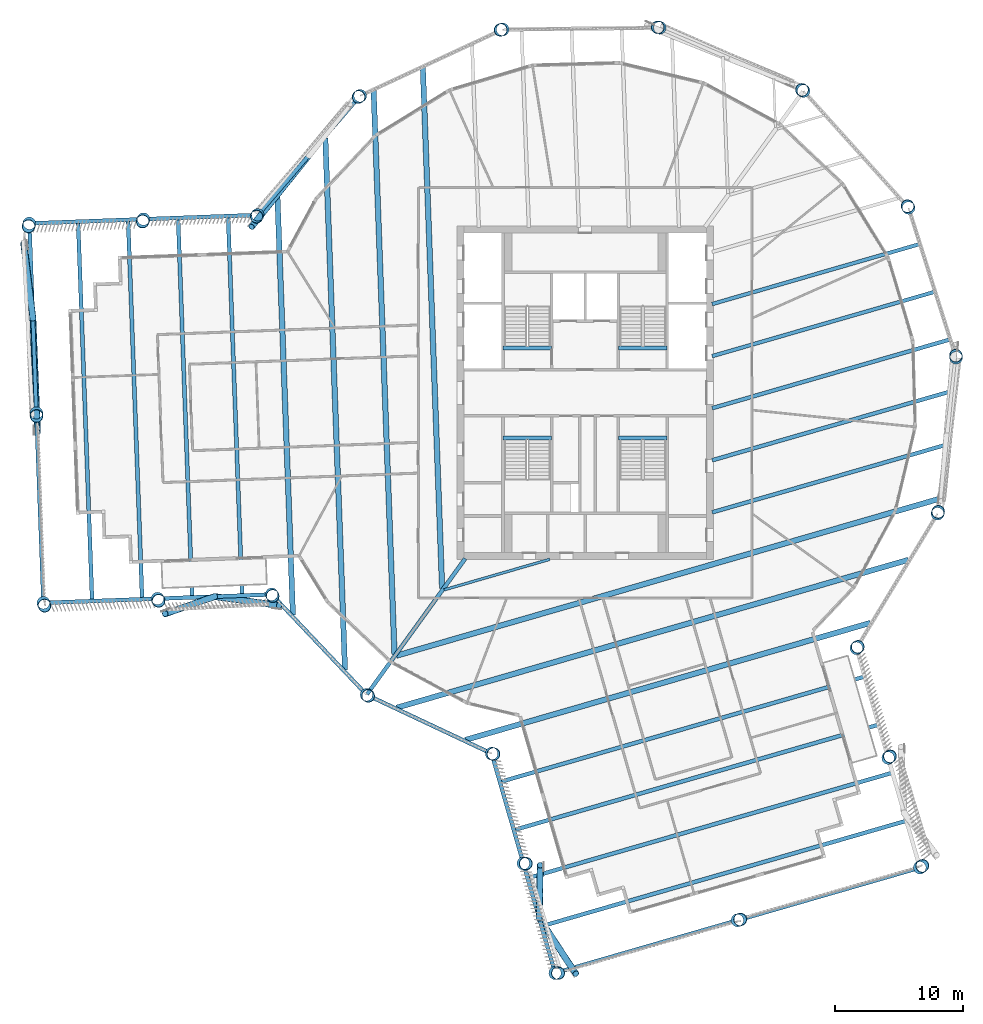
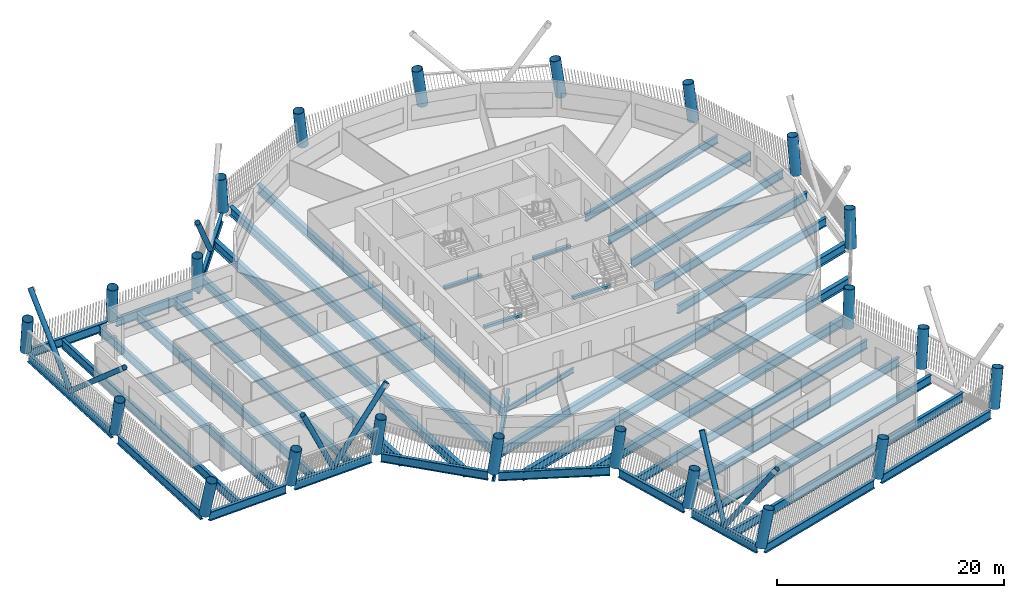
# One storey, part 1 of 20: 39 beams, 22 columns, 7 members.
"""IFC4 building model written with IfcOpenShell, lengths in metres."""

from ifc_helpers import new_model, si_unit, direction, frame, origin, origin_2d, place, context, subcontext, project, spatial, rectangle, hollow_circle, i_section, extrude, material, material_profile, profile_set, type_object, element, save


model = new_model("IFC4")

# Units and contexts
model_context = context("Model", 3, precision=1e-05, world=origin(), true_north=direction((0.0, 1.0)))
body_context = subcontext(model_context, "Body", "Model", "MODEL_VIEW")
ifc_project = project(units=[si_unit("LENGTHUNIT", "METRE"), si_unit("AREAUNIT", "SQUARE_METRE"), si_unit("VOLUMEUNIT", "CUBIC_METRE"), si_unit("PLANEANGLEUNIT", "RADIAN"), si_unit("MASSUNIT", "GRAM", prefix="KILO")], contexts=[model_context])

# Site, building, storey
site_placement = place(None, origin())
site = spatial("IfcSite", under=ifc_project, at=site_placement, CompositionType="ELEMENT")
building_placement = place(site_placement, origin())
building = spatial("IfcBuilding", under=site, at=building_placement, Name="Tarsis Ring Headquarters", CompositionType="ELEMENT")
storey_placement = place(building_placement, frame((0.0, 0.0, 294.199951171875)))
storey = spatial("IfcBuildingStorey", under=building, at=storey_placement, Name="L69", CompositionType="ELEMENT", Elevation=294.199951171875)

# Columns
ifc_material_1 = material(Name="Structural steel S355", Category="steel")
ifc_material_profile_1 = material_profile(ifc_material_1, hollow_circle(Radius=0.508056640625, WallThickness=0.0400390625, at=origin_2d()), Name="CHS 1016x40")
ifc_profile_set_1 = profile_set([ifc_material_profile_1], Name="Structural steel S355")
column_type = type_object("IfcColumnType", Name="XC Exo column CHS 1016x40", PredefinedType="COLUMN", material=ifc_profile_set_1)
for number, where, z_axis, x_axis, name in (
    (1, (-17.02490234375, -23.53662109375, 0.001220703125), (0.10512383495, -0.074618041238, 0.991655750373), (0.578819379223, 0.815455778222, 0.0), "Exo column XC6 F1"),
    (2, (-7.27783203125, -28.1220703125, 0.001220703125), (0.125067804822, -0.031189288634, 0.991657840422), (0.2419685142, 0.970284101764, 0.0), "Exo column XC6 AK"),
):
    element("IfcColumn", number, at=place(storey_placement, frame(where, z_axis=z_axis, x_axis=x_axis)), inside=storey, type_object=column_type, Name=name, PredefinedType="COLUMN", context=body_context, shape_type="SweptSolid", body=[
        extrude(hollow_circle(Radius=0.508056640625, WallThickness=0.0400390625, at=origin_2d()), origin(), (0.0, 0.0, 1.0), 3.929443359375),
    ])
column_1_placement = place(storey_placement, frame((-4.80615234375, -36.67431640625, 0.00146484375), z_axis=(0.162100639082, -0.019783449468, 0.98657589568), x_axis=(0.121145358091, 0.992634777858, 0.0)))
element("IfcColumn", 3, at=column_1_placement, inside=storey, type_object=column_type, Name="Exo column XC6 AI1", PredefinedType="COLUMN", context=body_context, shape_type="SweptSolid", body=[
    extrude(hollow_circle(Radius=0.508056640625, WallThickness=0.0400390625, at=origin_2d()), origin(), (0.0, 0.0, 1.0), 3.948974609375),
])
column_2_placement = place(storey_placement, frame((-2.33447265625, -45.226318359375, 0.00146484375), z_axis=(0.198459050362, -0.008537854534, 0.980071992442), x_axis=(0.042980980749, 0.999075890658, 0.0)))
element("IfcColumn", 4, at=column_2_placement, inside=storey, type_object=column_type, Name="Exo column XC6 AT1", PredefinedType="COLUMN", context=body_context, shape_type="SweptSolid", body=[
    extrude(hollow_circle(Radius=0.508056640625, WallThickness=0.0400390625, at=origin_2d()), origin(), (0.0, 0.0, 1.0), 3.974609375),
])
column_3_placement = place(storey_placement, frame((11.8837890625, -41.1171875, 0.00146484375), z_axis=(0.180229498417, 0.053798012847, 0.982152280308), x_axis=(-0.286026556639, 0.958221690893, 0.0)))
element("IfcColumn", 5, at=column_3_placement, inside=storey, type_object=column_type, Name="Exo column XC6 AT2", PredefinedType="COLUMN", context=body_context, shape_type="SweptSolid", body=[
    extrude(hollow_circle(Radius=0.508056640625, WallThickness=0.0400390625, at=origin_2d()), origin(), (0.0, 0.0, 1.0), 3.96630859375),
])
column_4_placement = place(storey_placement, frame((26.101806640625, -37.0078125, 0.00146484375), z_axis=(0.161298504755, 0.115906427446, 0.980075758521), x_axis=(-0.58354683528, 0.812079485663, 0.0)))
element("IfcColumn", 6, at=column_4_placement, inside=storey, type_object=column_type, Name="Exo column XC6 AT3", PredefinedType="COLUMN", context=body_context, shape_type="SweptSolid", body=[
    extrude(hollow_circle(Radius=0.508056640625, WallThickness=0.0400390625, at=origin_2d()), origin(), (0.0, 0.0, 1.0), 3.974609375),
])
column_5_placement = place(storey_placement, frame((23.6298828125, -28.45556640625, 0.00146484375), z_axis=(0.124758885871, 0.105408275723, 0.986572002342), x_axis=(-0.645382114358, 0.763859886672, 0.0)))
element("IfcColumn", 7, at=column_5_placement, inside=storey, type_object=column_type, Name="Exo column XC6 AO1", PredefinedType="COLUMN", context=body_context, shape_type="SweptSolid", body=[
    extrude(hollow_circle(Radius=0.508056640625, WallThickness=0.0400390625, at=origin_2d()), origin(), (0.0, 0.0, 1.0), 3.948974609375),
])
for number, where, z_axis, x_axis, name in (
    (8, (21.158203125, -19.9033203125, 0.001220703125), (0.087479488389, 0.094624475011, 0.991662012906), (-0.734285671443, 0.678840594479, 0.0), "Exo column XC6 AJ"),
    (9, (27.481201171875, -9.412841796875, 0.001220703125), (0.040695044961, 0.122333654241, 0.991654370411), (-0.9488758848, 0.315649418255, 0.0), "Exo column XC6 R1"),
    (10, (28.91796875, 2.75146484375, 0.001220703125), (-0.013357906885, 0.128235906093, 0.991653729238), (-0.994618408891, -0.103606084259, 0.0), "Exo column XC6 R2"),
    (11, (25.212890625, 14.426513671875, 0.001220703125), (-0.064987888269, 0.111336802847, 0.991655530268), (-0.863639029708, -0.504110728278, 0.0), "Exo column XC6 R3"),
    (12, (17.02490234375, 23.53662109375, 0.001220703125), (-0.10512383495, 0.074618041238, 0.991655750373), (-0.578819379223, -0.815455778222, 0.0), "Exo column XC6 R4"),
    (13, (5.809814453125, 28.461669921875, 0.001220703125), (-0.126497105715, 0.02466569301, 0.991660267347), (-0.191385762986, -0.981514895315, 0.0), "Exo column XC6 R5"),
    (14, (-6.438232421875, 28.325927734375, 0.001220703125), (-0.125440653682, -0.029636053396, 0.991658382077), (0.229925848343, -0.973208150533, 0.0), "Exo column XC6 R6"),
    (15, (-17.54150390625, 23.154052734375, 0.001220703125), (-0.102079572401, -0.078718696428, 0.991656759031), (0.610665314331, -0.791888801457, 0.0), "Exo column XC6 R7"),
    (16, (-25.52587890625, 13.864990234375, 0.001220703125), (-0.060576921012, -0.113760351153, 0.991659729517), (0.882659673323, -0.470012660563, 0.0), "Exo column XC6 BJ"),
):
    element("IfcColumn", number, at=place(storey_placement, frame(where, z_axis=z_axis, x_axis=x_axis)), inside=storey, type_object=column_type, Name=name, PredefinedType="COLUMN", context=body_context, shape_type="SweptSolid", body=[
        extrude(hollow_circle(Radius=0.508056640625, WallThickness=0.0400390625, at=origin_2d()), origin(), (0.0, 0.0, 1.0), 3.929443359375),
    ])
column_6_placement = place(storey_placement, frame((-34.422119140625, 13.53564453125, 0.00146484375), z_axis=(-0.058423345664, -0.152457111542, 0.986581746143), x_axis=(0.933784079274, -0.357836964685, 0.0)))
element("IfcColumn", 17, at=column_6_placement, inside=storey, type_object=column_type, Name="Exo column XC6 BO1", PredefinedType="COLUMN", context=body_context, shape_type="SweptSolid", body=[
    extrude(hollow_circle(Radius=0.508056640625, WallThickness=0.0400390625, at=origin_2d()), origin(), (0.0, 0.0, 1.0), 3.948974609375),
])
column_7_placement = place(storey_placement, frame((-43.318359375, 13.206298828125, 0.00146484375), z_axis=(-0.05626421067, -0.190475237214, 0.98007832473), x_axis=(0.959034895919, -0.283287960226, 0.0)))
element("IfcColumn", 18, at=column_7_placement, inside=storey, type_object=column_type, Name="Exo column XC6 BT3", PredefinedType="COLUMN", context=body_context, shape_type="SweptSolid", body=[
    extrude(hollow_circle(Radius=0.508056640625, WallThickness=0.0400390625, at=origin_2d()), origin(), (0.0, 0.0, 1.0), 3.974609375),
])
column_8_placement = place(storey_placement, frame((-42.770751953125, -1.58349609375, 0.00146484375), z_axis=(0.008617475989, -0.187922529959, 0.98214604914), x_axis=(0.998950244416, 0.045808396403, 0.0)))
element("IfcColumn", 19, at=column_8_placement, inside=storey, type_object=column_type, Name="Exo column XC6 BT2", PredefinedType="COLUMN", context=body_context, shape_type="SweptSolid", body=[
    extrude(hollow_circle(Radius=0.508056640625, WallThickness=0.0400390625, at=origin_2d()), origin(), (0.0, 0.0, 1.0), 3.96630859375),
])
column_9_placement = place(storey_placement, frame((-42.22314453125, -16.37353515625, 0.00146484375), z_axis=(0.073462992019, -0.184517414736, 0.980079850044), x_axis=(0.929072717909, 0.36989712737, 0.0)))
element("IfcColumn", 20, at=column_9_placement, inside=storey, type_object=column_type, Name="Exo column XC6 BT1", PredefinedType="COLUMN", context=body_context, shape_type="SweptSolid", body=[
    extrude(hollow_circle(Radius=0.508056640625, WallThickness=0.0400390625, at=origin_2d()), origin(), (0.0, 0.0, 1.0), 3.974609375),
])
column_10_placement = place(storey_placement, frame((-33.326904296875, -16.0439453125, 0.00146484375), z_axis=(0.072086058067, -0.146521404475, 0.986577456799), x_axis=(0.897286050776, 0.441449592913, 0.0)))
element("IfcColumn", 21, at=column_10_placement, inside=storey, type_object=column_type, Name="Exo column XC6 BI1", PredefinedType="COLUMN", context=body_context, shape_type="SweptSolid", body=[
    extrude(hollow_circle(Radius=0.508056640625, WallThickness=0.0400390625, at=origin_2d()), origin(), (0.0, 0.0, 1.0), 3.948974609375),
])
column_11_placement = place(storey_placement, frame((-24.430908203125, -15.714599609375, 0.001220703125), z_axis=(0.070703855348, -0.107795420939, 0.991655742717), x_axis=(0.836179147735, 0.548456409292, 0.0)))
element("IfcColumn", 22, at=column_11_placement, inside=storey, type_object=column_type, Name="Exo column XC6 BK", PredefinedType="COLUMN", context=body_context, shape_type="SweptSolid", body=[
    extrude(hollow_circle(Radius=0.508056640625, WallThickness=0.0400390625, at=origin_2d()), origin(), (0.0, 0.0, 1.0), 3.929443359375),
])

# Beams
ifc_material_profile_2 = material_profile(ifc_material_1, i_section(OverallWidth=0.209228515625, OverallDepth=0.533447265625, WebThickness=0.01025390625, FlangeThickness=0.015625, at=origin_2d()), Name="W21x62")
ifc_profile_set_2 = profile_set([ifc_material_profile_2], Name="Structural steel S355")
beam_type_1 = type_object("IfcBeamType", Name="FB Floor beam W21x62", PredefinedType="JOIST", material=ifc_profile_set_2)
beam_1_placement = place(storey_placement, frame((-10.9921875, -15.355712890625, -0.4267578125), z_axis=(0.960681316601, 0.277653395322, 0.0), x_axis=(-0.277653395322, 0.960681316601, 0.0)))
element("IfcBeam", 23, at=beam_1_placement, inside=storey, type_object=beam_type_1, Name="Floor beam FB3", PredefinedType="JOIST", context=body_context, shape_type="SweptSolid", body=[
    extrude(i_section(OverallWidth=0.209228515625, OverallDepth=0.533447265625, WebThickness=0.01025390625, FlangeThickness=0.015625, at=origin_2d()), origin(), (0.0, 0.0, 1.0), 8.584716796875),
])
ifc_material_profile_3 = material_profile(ifc_material_1, i_section(OverallWidth=0.2919921875, OverallDepth=0.835693359375, WebThickness=0.013916015625, FlangeThickness=0.018798828125, at=origin_2d()), Name="W33x118")
ifc_profile_set_3 = profile_set([ifc_material_profile_3], Name="Structural steel S355")
beam_type_2 = type_object("IfcBeamType", Name="FB Floor beam W33x118", PredefinedType="JOIST", material=ifc_profile_set_3)
beam_2_placement = place(storey_placement, frame((9.904052734375, 6.921875, -0.577880859375), z_axis=(0.960678294888, 0.277663850241, 0.0), x_axis=(-0.277663850241, 0.960678294888, 0.0)))
element("IfcBeam", 24, at=beam_2_placement, inside=storey, type_object=beam_type_2, Name="Floor beam FB7", PredefinedType="JOIST", context=body_context, shape_type="SweptSolid", body=[
    extrude(i_section(OverallWidth=0.2919921875, OverallDepth=0.835693359375, WebThickness=0.013916015625, FlangeThickness=0.018798828125, at=origin_2d()), origin(), (0.0, 0.0, 1.0), 16.8125),
])
beam_3_placement = place(storey_placement, frame((9.904052734375, 2.8623046875, -0.577880859375), z_axis=(0.96068146054, 0.277652897292, 0.0), x_axis=(-0.277652897292, 0.96068146054, 0.0)))
element("IfcBeam", 25, at=beam_3_placement, inside=storey, type_object=beam_type_2, Name="Floor beam FB7", PredefinedType="JOIST", context=body_context, shape_type="SweptSolid", body=[
    extrude(i_section(OverallWidth=0.2919921875, OverallDepth=0.835693359375, WebThickness=0.013916015625, FlangeThickness=0.018798828125, at=origin_2d()), origin(), (0.0, 0.0, 1.0), 18.04052734375),
])
ifc_material_profile_4 = material_profile(ifc_material_1, i_section(OverallWidth=0.3046875, OverallDepth=0.904296875, WebThickness=0.01513671875, FlangeThickness=0.02001953125, at=origin_2d()), Name="W36x135")
ifc_profile_set_4 = profile_set([ifc_material_profile_4], Name="Structural steel S355")
beam_type_3 = type_object("IfcBeamType", Name="FB Floor beam W36x135", PredefinedType="JOIST", material=ifc_profile_set_4)
beam_4_placement = place(storey_placement, frame((9.904052734375, -1.197265625, -0.612060546875), z_axis=(0.960681819733, 0.27765165448, 0.0), x_axis=(-0.27765165448, 0.960681819733, 0.0)))
element("IfcBeam", 26, at=beam_4_placement, inside=storey, type_object=beam_type_3, Name="Floor beam FB8", PredefinedType="JOIST", context=body_context, shape_type="SweptSolid", body=[
    extrude(i_section(OverallWidth=0.3046875, OverallDepth=0.904296875, WebThickness=0.01513671875, FlangeThickness=0.02001953125, at=origin_2d()), origin(), (0.0, 0.0, 1.0), 19.26904296875),
])
beam_5_placement = place(storey_placement, frame((9.904052734375, -5.2568359375, -0.612060546875), z_axis=(0.960683387243, 0.277646230797, 0.0), x_axis=(-0.277646230797, 0.960683387243, 0.0)))
element("IfcBeam", 27, at=beam_5_placement, inside=storey, type_object=beam_type_3, Name="Floor beam FB8", PredefinedType="JOIST", context=body_context, shape_type="SweptSolid", body=[
    extrude(i_section(OverallWidth=0.3046875, OverallDepth=0.904296875, WebThickness=0.01513671875, FlangeThickness=0.02001953125, at=origin_2d()), origin(), (0.0, 0.0, 1.0), 19.404052734375),
])
beam_6_placement = place(storey_placement, frame((9.904052734375, -9.31640625, -0.612060546875), z_axis=(0.960683923423, 0.277644375554, 0.0), x_axis=(-0.277644375554, 0.960683923423, 0.0)))
element("IfcBeam", 28, at=beam_6_placement, inside=storey, type_object=beam_type_3, Name="Floor beam FB8", PredefinedType="JOIST", context=body_context, shape_type="SweptSolid", body=[
    extrude(i_section(OverallWidth=0.3046875, OverallDepth=0.904296875, WebThickness=0.01513671875, FlangeThickness=0.02001953125, at=origin_2d()), origin(), (0.0, 0.0, 1.0), 18.88720703125),
])
ifc_material_profile_5 = material_profile(ifc_material_1, i_section(OverallWidth=0.309814453125, OverallDepth=0.949951171875, WebThickness=0.0244140625, FlangeThickness=0.0439453125, at=origin_2d()), Name="W36x256")
ifc_profile_set_5 = profile_set([ifc_material_profile_5], Name="Structural steel S355")
beam_type_4 = type_object("IfcBeamType", Name="FB Floor beam W36x256", PredefinedType="JOIST", material=ifc_profile_set_5)
for number, where, z_axis, x_axis, name in (
    (29, (-6.58544921875, -30.320556640625, -0.635009765625), (0.960681604626, 0.277652398752, 0.0), (-0.277652398752, 0.960681604626, 0.0), "Floor beam FB11"),
    (30, (-5.502685546875, -34.067138671875, -0.635009765625), (0.960683812835, 0.2776447582, 0.0), (-0.2776447582, 0.960683812835, 0.0), "Floor beam FB11"),
    (31, (-4.419677734375, -37.81396484375, -0.635009765625), (0.960681604626, 0.277652398752, 0.0), (-0.277652398752, 0.960681604626, 0.0), "Floor beam FB11"),
    (32, (-3.3369140625, -41.560546875, -0.635009765625), (0.960681604626, 0.277652398752, 0.0), (-0.277652398752, 0.960681604626, 0.0), "Floor beam FB11"),
):
    element("IfcBeam", number, at=place(storey_placement, frame(where, z_axis=z_axis, x_axis=x_axis)), inside=storey, type_object=beam_type_4, Name=name, PredefinedType="JOIST", context=body_context, shape_type="SweptSolid", body=[
        extrude(i_section(OverallWidth=0.309814453125, OverallDepth=0.949951171875, WebThickness=0.0244140625, FlangeThickness=0.0439453125, at=origin_2d()), origin(), (0.0, 0.0, 1.0), 29.489990234375),
    ])
for number, where, z_axis, x_axis, name in (
    (33, (-27.82666015625, 13.72509765625, -0.635009765625), (0.036989307964, -0.999315661388, 0.0), (0.999315661388, 0.036989307964, 0.0), "Floor beam FB11"),
    (34, (-31.72412109375, 13.580810546875, -0.635009765625), (0.036989307964, -0.999315661388, 0.0), (0.999315661388, 0.036989307964, 0.0), "Floor beam FB11"),
    (35, (-35.621337890625, 13.4365234375, -0.635009765625), (0.036989307964, -0.999315661388, 0.0), (0.999315661388, 0.036989307964, 0.0), "Floor beam FB11"),
    (36, (-39.518798828125, 13.292236328125, -0.635009765625), (0.036997575351, -0.99931535534, 0.0), (0.99931535534, 0.036997575351, 0.0), "Floor beam FB11"),
):
    element("IfcBeam", number, at=place(storey_placement, frame(where, z_axis=z_axis, x_axis=x_axis)), inside=storey, type_object=beam_type_4, Name=name, PredefinedType="JOIST", context=body_context, shape_type="SweptSolid", body=[
        extrude(i_section(OverallWidth=0.309814453125, OverallDepth=0.949951171875, WebThickness=0.0244140625, FlangeThickness=0.0439453125, at=origin_2d()), origin(), (0.0, 0.0, 1.0), 29.490234375),
    ])
beam_type_5 = type_object("IfcBeamType", Name="FB Floor beam W36x256 spine", PredefinedType="BEAM", material=ifc_profile_set_5)
beam_7_placement = place(storey_placement, frame((-9.344970703125, -12.9189453125, -0.635009765625), z_axis=(-0.586083454788, -0.810250692085, 0.0), x_axis=(0.810250692085, -0.586083454788, 0.0)))
element("IfcBeam", 37, at=beam_7_placement, inside=storey, type_object=beam_type_5, Name="Floor beam SB11", PredefinedType="BEAM", context=body_context, shape_type="SweptSolid", body=[
    extrude(i_section(OverallWidth=0.309814453125, OverallDepth=0.949951171875, WebThickness=0.0244140625, FlangeThickness=0.0439453125, at=origin_2d()), origin(), (0.0, 0.0, 1.0), 13.04638671875),
])
ifc_material_profile_6 = material_profile(ifc_material_1, i_section(OverallWidth=0.42431640625, OverallDepth=0.947509765625, WebThickness=0.02392578125, FlangeThickness=0.042724609375, at=origin_2d()), Name="W36x302")
ifc_profile_set_6 = profile_set([ifc_material_profile_6], Name="Structural steel S355")
beam_type_6 = type_object("IfcBeamType", Name="FB Floor beam W36x302", PredefinedType="JOIST", material=ifc_profile_set_6)
beam_8_placement = place(storey_placement, frame((-14.705078125, -20.48828125, -0.633544921875), z_axis=(0.960682539274, 0.277649164835, 0.0), x_axis=(-0.277649164835, 0.960682539274, 0.0)))
element("IfcBeam", 38, at=beam_8_placement, inside=storey, type_object=beam_type_6, Name="Floor beam FB12", PredefinedType="JOIST", context=body_context, shape_type="SweptSolid", body=[
    extrude(i_section(OverallWidth=0.42431640625, OverallDepth=0.947509765625, WebThickness=0.02392578125, FlangeThickness=0.042724609375, at=origin_2d()), origin(), (0.0, 0.0, 1.0), 43.98681640625),
])
beam_9_placement = place(storey_placement, frame((-14.680908203125, -24.541015625, -0.633544921875), z_axis=(0.960682369641, 0.277649751775, 0.0), x_axis=(-0.277649751775, 0.960682369641, 0.0)))
element("IfcBeam", 39, at=beam_9_placement, inside=storey, type_object=beam_type_6, Name="Floor beam FB12", PredefinedType="JOIST", context=body_context, shape_type="SweptSolid", body=[
    extrude(i_section(OverallWidth=0.42431640625, OverallDepth=0.947509765625, WebThickness=0.02392578125, FlangeThickness=0.042724609375, at=origin_2d()), origin(), (0.0, 0.0, 1.0), 41.523681640625),
])
beam_10_placement = place(storey_placement, frame((-9.33544921875, -27.0556640625, -0.633544921875), z_axis=(0.960683551276, 0.277645663223, 0.0), x_axis=(-0.277645663223, 0.960683551276, 0.0)))
element("IfcBeam", 40, at=beam_10_placement, inside=storey, type_object=beam_type_6, Name="Floor beam FB12", PredefinedType="JOIST", context=body_context, shape_type="SweptSolid", body=[
    extrude(i_section(OverallWidth=0.42431640625, OverallDepth=0.947509765625, WebThickness=0.02392578125, FlangeThickness=0.042724609375, at=origin_2d()), origin(), (0.0, 0.0, 1.0), 32.875244140625),
])
beam_11_placement = place(storey_placement, frame((-12.64697265625, 25.36474609375, -0.633544921875), z_axis=(0.036994551304, -0.999315467294, 0.0), x_axis=(0.999315467294, 0.036994551304, 0.0)))
element("IfcBeam", 41, at=beam_11_placement, inside=storey, type_object=beam_type_6, Name="Floor beam FB12", PredefinedType="JOIST", context=body_context, shape_type="SweptSolid", body=[
    extrude(i_section(OverallWidth=0.42431640625, OverallDepth=0.947509765625, WebThickness=0.02392578125, FlangeThickness=0.042724609375, at=origin_2d()), origin(), (0.0, 0.0, 1.0), 40.638916015625),
])
beam_12_placement = place(storey_placement, frame((-16.4833984375, 23.57763671875, -0.633544921875), z_axis=(0.036992979446, -0.999315525483, 0.0), x_axis=(0.999315525483, 0.036992979446, 0.0)))
element("IfcBeam", 42, at=beam_12_placement, inside=storey, type_object=beam_type_6, Name="Floor beam FB12", PredefinedType="JOIST", context=body_context, shape_type="SweptSolid", body=[
    extrude(i_section(OverallWidth=0.42431640625, OverallDepth=0.947509765625, WebThickness=0.02392578125, FlangeThickness=0.042724609375, at=origin_2d()), origin(), (0.0, 0.0, 1.0), 43.986572265625),
])
beam_13_placement = place(storey_placement, frame((-20.2490234375, 19.870849609375, -0.633544921875), z_axis=(0.036994046056, -0.999315485998, 0.0), x_axis=(0.999315485998, 0.036994046056, 0.0)))
element("IfcBeam", 43, at=beam_13_placement, inside=storey, type_object=beam_type_6, Name="Floor beam FB12", PredefinedType="JOIST", context=body_context, shape_type="SweptSolid", body=[
    extrude(i_section(OverallWidth=0.42431640625, OverallDepth=0.947509765625, WebThickness=0.02392578125, FlangeThickness=0.042724609375, at=origin_2d()), origin(), (0.0, 0.0, 1.0), 41.523681640625),
])
beam_14_placement = place(storey_placement, frame((-23.990478515625, 15.51806640625, -0.633544921875), z_axis=(0.03699023623, -0.999315627029, 0.0), x_axis=(0.999315627029, 0.03699023623, 0.0)))
element("IfcBeam", 44, at=beam_14_placement, inside=storey, type_object=beam_type_6, Name="Floor beam FB12", PredefinedType="JOIST", context=body_context, shape_type="SweptSolid", body=[
    extrude(i_section(OverallWidth=0.42431640625, OverallDepth=0.947509765625, WebThickness=0.02392578125, FlangeThickness=0.042724609375, at=origin_2d()), origin(), (0.0, 0.0, 1.0), 32.875244140625),
])
ifc_material_2 = material(Name="Concrete C40/50", Category="concrete")
ifc_material_profile_7 = material_profile(ifc_material_2, rectangle(XDim=0.300048828125, YDim=0.300048828125, at=origin_2d()), Name="Stair head beam 300x300 C40/50")
ifc_profile_set_7 = profile_set([ifc_material_profile_7], Name="Concrete C40/50")
beam_type_7 = type_object("IfcBeamType", Name="Stair head beam 300x300 C40/50", PredefinedType="BEAM", material=ifc_profile_set_7)
for number, where, z_axis, x_axis, name in (
    (45, (-6.39990234375, 3.510009765625, -0.31005859375), (1.0, 0.0, 0.0), (0.0, 1.0, 0.0), "Stair head beam L69 Firefighting stair"),
    (46, (2.60009765625, 3.510009765625, -0.31005859375), (1.0, 0.0, 0.0), (0.0, 1.0, 0.0), "Stair head beam L69 Exit stair B"),
    (47, (-6.39990234375, -3.510009765625, -0.31005859375), (1.0, 0.0, 0.0), (0.0, 1.0, 0.0), "Stair head beam L69 Exit stair C"),
    (48, (2.60009765625, -3.510009765625, -0.31005859375), (1.0, 0.0, 0.0), (0.0, 1.0, 0.0), "Stair head beam L69 Exit stair D"),
):
    element("IfcBeam", number, at=place(storey_placement, frame(where, z_axis=z_axis, x_axis=x_axis)), inside=storey, type_object=beam_type_7, Name=name, PredefinedType="BEAM", context=body_context, shape_type="SweptSolid", body=[
        extrude(rectangle(XDim=0.300048828125, YDim=0.300048828125, at=origin_2d()), origin(), (0.0, 0.0, 1.0), 3.7998046875),
    ])

# Members
ifc_material_profile_8 = material_profile(ifc_material_1, hollow_circle(Radius=0.25390625, WallThickness=0.02001953125, at=origin_2d()), Name="CHS 508x20")
ifc_profile_set_8 = profile_set([ifc_material_profile_8], Name="Structural steel S355")
member_type = type_object("IfcMemberType", Name="XD X brace CHS 508x20", PredefinedType="BRACE", material=ifc_profile_set_8)
member_1_placement = place(storey_placement, frame((-3.570556640625, -40.9501953125, 0.0), z_axis=(0.304049840303, -0.462422710049, 0.832897912017), x_axis=(0.835562764412, 0.549395000639, 0.0)))
element("IfcMember", 49, at=member_1_placement, inside=storey, type_object=member_type, Name="X brace XD2", PredefinedType="BRACE", context=body_context, shape_type="SweptSolid", body=[
    extrude(hollow_circle(Radius=0.25390625, WallThickness=0.02001953125, at=origin_2d()), origin(), (0.0, 0.0, 1.0), 9.364990234375),
])
member_2_placement = place(storey_placement, frame((-3.570556640625, -40.9501953125, 0.0), z_axis=(0.008243685051, 0.46775996822, 0.883817092948), x_axis=(-0.999844737873, 0.017621014364, 0.0)))
element("IfcMember", 50, at=member_2_placement, inside=storey, type_object=member_type, Name="X brace XD2", PredefinedType="BRACE", context=body_context, shape_type="SweptSolid", body=[
    extrude(hollow_circle(Radius=0.25390625, WallThickness=0.02001953125, at=origin_2d()), origin(), (0.0, 0.0, 1.0), 8.825439453125),
])
member_3_placement = place(storey_placement, frame((-21.53369140625, 18.509765625, 0.0), z_axis=(-0.42279283659, -0.526141170218, 0.737849365609), x_axis=(0.779508338118, -0.626391850844, 0.0)))
element("IfcMember", 51, at=member_3_placement, inside=storey, type_object=member_type, Name="X brace XD2", PredefinedType="BRACE", context=body_context, shape_type="SweptSolid", body=[
    extrude(hollow_circle(Radius=0.25390625, WallThickness=0.02001953125, at=origin_2d()), origin(), (0.0, 0.0, 1.0), 10.5712890625),
])
member_4_placement = place(storey_placement, frame((-43.04443359375, 5.811767578125, 0.0), z_axis=(0.030136229081, -0.752313983925, 0.658115094256), x_axis=(0.999198640722, 0.040025946317, 0.0)))
element("IfcMember", 52, at=member_4_placement, inside=storey, type_object=member_type, Name="X brace XD2", PredefinedType="BRACE", context=body_context, shape_type="SweptSolid", body=[
    extrude(hollow_circle(Radius=0.25390625, WallThickness=0.02001953125, at=origin_2d()), origin(), (0.0, 0.0, 1.0), 11.85205078125),
])
member_5_placement = place(storey_placement, frame((-43.04443359375, 5.811767578125, 0.0), z_axis=(-0.073294530662, 0.598022416335, 0.798120981641), x_axis=(-0.992572907679, -0.121651234852, 0.0)))
element("IfcMember", 53, at=member_5_placement, inside=storey, type_object=member_type, Name="X brace XD2", PredefinedType="BRACE", context=body_context, shape_type="SweptSolid", body=[
    extrude(hollow_circle(Radius=0.25390625, WallThickness=0.02001953125, at=origin_2d()), origin(), (0.0, 0.0, 1.0), 9.77294921875),
])
member_6_placement = place(storey_placement, frame((-28.87890625, -15.879150390625, 0.0), z_axis=(0.539902657736, -0.074710939369, 0.83840526937), x_axis=(0.137072385651, 0.990561033502, 0.0)))
element("IfcMember", 54, at=member_6_placement, inside=storey, type_object=member_type, Name="X brace XD2", PredefinedType="BRACE", context=body_context, shape_type="SweptSolid", body=[
    extrude(hollow_circle(Radius=0.25390625, WallThickness=0.02001953125, at=origin_2d()), origin(), (0.0, 0.0, 1.0), 9.303466796875),
])
member_7_placement = place(storey_placement, frame((-28.87890625, -15.879150390625, 0.0), z_axis=(-0.437987603611, -0.152300108841, 0.885986193984), x_axis=(0.328437121566, -0.944525837221, 0.0)))
element("IfcMember", 55, at=member_7_placement, inside=storey, type_object=member_type, Name="X brace XD2", PredefinedType="BRACE", context=body_context, shape_type="SweptSolid", body=[
    extrude(hollow_circle(Radius=0.25390625, WallThickness=0.02001953125, at=origin_2d()), origin(), (0.0, 0.0, 1.0), 8.8037109375),
])

# Beams
ifc_material_profile_9 = material_profile(ifc_material_1, i_section(OverallWidth=0.309814453125, OverallDepth=0.93212890625, WebThickness=0.02099609375, FlangeThickness=0.034423828125, at=origin_2d()), Name="W36x210")
ifc_profile_set_9 = profile_set([ifc_material_profile_9], Name="Structural steel S355")
beam_type_8 = type_object("IfcBeamType", Name="XG Ring girder W36x210", PredefinedType="BEAM", material=ifc_profile_set_9)
beam_15_placement = place(storey_placement, frame((-16.611328125, -23.731201171875, -0.466064453125), z_axis=(0.904870897459, -0.425686103756, 0.0), x_axis=(0.425686103756, 0.904870897459, 0.0)))
element("IfcBeam", 56, at=beam_15_placement, inside=storey, type_object=beam_type_8, Name="Ring girder XG3", PredefinedType="BEAM", context=body_context, shape_type="SweptSolid", body=[
    extrude(i_section(OverallWidth=0.309814453125, OverallDepth=0.93212890625, WebThickness=0.02099609375, FlangeThickness=0.034423828125, at=origin_2d()), origin(), (0.0, 0.0, 1.0), 9.857177734375),
])
for number, where, z_axis, x_axis, name in (
    (57, (-7.151123046875, -28.561279296875, -0.466064453125), (0.277650612047, -0.960682121011, 0.0), (0.960682121011, 0.277650612047, 0.0), "Ring girder XG3"),
    (58, (-4.679443359375, -37.113525390625, -0.466064453125), (0.277650612047, -0.960682121011, 0.0), (0.960682121011, 0.277650612047, 0.0), "Ring girder XG3"),
):
    element("IfcBeam", number, at=place(storey_placement, frame(where, z_axis=z_axis, x_axis=x_axis)), inside=storey, type_object=beam_type_8, Name=name, PredefinedType="BEAM", context=body_context, shape_type="SweptSolid", body=[
        extrude(i_section(OverallWidth=0.309814453125, OverallDepth=0.93212890625, WebThickness=0.02099609375, FlangeThickness=0.034423828125, at=origin_2d()), origin(), (0.0, 0.0, 1.0), 7.987548828125),
    ])
for number, where, z_axis, x_axis, name in (
    (59, (-1.8955078125, -45.099365234375, -0.466064453125), (0.960684173369, 0.27764351071, 0.0), (-0.27764351071, 0.960684173369, 0.0), "Ring girder XG3"),
    (60, (12.32275390625, -40.990234375, -0.466064453125), (0.960684173369, 0.27764351071, 0.0), (-0.27764351071, 0.960684173369, 0.0), "Ring girder XG3"),
):
    element("IfcBeam", number, at=place(storey_placement, frame(where, z_axis=z_axis, x_axis=x_axis)), inside=storey, type_object=beam_type_8, Name=name, PredefinedType="BEAM", context=body_context, shape_type="SweptSolid", body=[
        extrude(i_section(OverallWidth=0.309814453125, OverallDepth=0.93212890625, WebThickness=0.02099609375, FlangeThickness=0.034423828125, at=origin_2d()), origin(), (0.0, 0.0, 1.0), 13.885498046875),
    ])
beam_16_placement = place(storey_placement, frame((-17.839599609375, 22.807373046875, -0.466064453125), z_axis=(-0.65184088515, -0.758355761135, 0.0), x_axis=(0.758355761135, -0.65184088515, 0.0)))
element("IfcBeam", 61, at=beam_16_placement, inside=storey, type_object=beam_type_8, Name="Ring girder XG3", PredefinedType="BEAM", context=body_context, shape_type="SweptSolid", body=[
    extrude(i_section(OverallWidth=0.309814453125, OverallDepth=0.93212890625, WebThickness=0.02099609375, FlangeThickness=0.034423828125, at=origin_2d()), origin(), (0.0, 0.0, 1.0), 11.334228515625),
])
beam_17_placement = place(storey_placement, frame((-25.98291015625, 13.848388671875, -0.466064453125), z_axis=(-0.999314750025, -0.037013921464, 0.0), x_axis=(0.037013921464, -0.999314750025, 0.0)))
element("IfcBeam", 62, at=beam_17_placement, inside=storey, type_object=beam_type_8, Name="Ring girder XG3", PredefinedType="BEAM", context=body_context, shape_type="SweptSolid", body=[
    extrude(i_section(OverallWidth=0.309814453125, OverallDepth=0.93212890625, WebThickness=0.02099609375, FlangeThickness=0.034423828125, at=origin_2d()), origin(), (0.0, 0.0, 1.0), 7.987548828125),
])
beam_18_placement = place(storey_placement, frame((-34.87890625, 13.51904296875, -0.466064453125), z_axis=(-0.999314791898, -0.037012790953, 0.0), x_axis=(0.037012790953, -0.999314791898, 0.0)))
element("IfcBeam", 63, at=beam_18_placement, inside=storey, type_object=beam_type_8, Name="Ring girder XG3", PredefinedType="BEAM", context=body_context, shape_type="SweptSolid", body=[
    extrude(i_section(OverallWidth=0.309814453125, OverallDepth=0.93212890625, WebThickness=0.02099609375, FlangeThickness=0.034423828125, at=origin_2d()), origin(), (0.0, 0.0, 1.0), 7.98779296875),
])
beam_19_placement = place(storey_placement, frame((-43.30126953125, 12.749755859375, -0.466064453125), z_axis=(0.036992801862, -0.999315532057, 0.0), x_axis=(0.999315532057, 0.036992801862, 0.0)))
element("IfcBeam", 64, at=beam_19_placement, inside=storey, type_object=beam_type_8, Name="Ring girder XG3", PredefinedType="BEAM", context=body_context, shape_type="SweptSolid", body=[
    extrude(i_section(OverallWidth=0.309814453125, OverallDepth=0.93212890625, WebThickness=0.02099609375, FlangeThickness=0.034423828125, at=origin_2d()), origin(), (0.0, 0.0, 1.0), 13.8857421875),
])
beam_20_placement = place(storey_placement, frame((-42.75390625, -2.040283203125, -0.466064453125), z_axis=(0.036993451841, -0.999315507996, 0.0), x_axis=(0.999315507996, 0.036993451841, 0.0)))
element("IfcBeam", 65, at=beam_20_placement, inside=storey, type_object=beam_type_8, Name="Ring girder XG3", PredefinedType="BEAM", context=body_context, shape_type="SweptSolid", body=[
    extrude(i_section(OverallWidth=0.309814453125, OverallDepth=0.93212890625, WebThickness=0.02099609375, FlangeThickness=0.034423828125, at=origin_2d()), origin(), (0.0, 0.0, 1.0), 13.885498046875),
])
for number, where, z_axis, x_axis, name in (
    (66, (-41.766357421875, -16.356201171875, -0.466064453125), (0.99931592191, 0.036982268948, 0.0), (-0.036982268948, 0.99931592191, 0.0), "Ring girder XG3"),
    (67, (-32.8701171875, -16.02685546875, -0.466064453125), (0.99931592191, 0.036982268948, 0.0), (-0.036982268948, 0.99931592191, 0.0), "Ring girder XG3"),
):
    element("IfcBeam", number, at=place(storey_placement, frame(where, z_axis=z_axis, x_axis=x_axis)), inside=storey, type_object=beam_type_8, Name=name, PredefinedType="BEAM", context=body_context, shape_type="SweptSolid", body=[
        extrude(i_section(OverallWidth=0.309814453125, OverallDepth=0.93212890625, WebThickness=0.02099609375, FlangeThickness=0.034423828125, at=origin_2d()), origin(), (0.0, 0.0, 1.0), 7.98779296875),
    ])
beam_21_placement = place(storey_placement, frame((-24.11669921875, -16.046630859375, -0.466064453125), z_axis=(0.6875495192, -0.726137492936, 0.0), x_axis=(0.726137492936, 0.6875495192, 0.0)))
element("IfcBeam", 68, at=beam_21_placement, inside=storey, type_object=beam_type_8, Name="Ring girder XG3", PredefinedType="BEAM", context=body_context, shape_type="SweptSolid", body=[
    extrude(i_section(OverallWidth=0.309814453125, OverallDepth=0.93212890625, WebThickness=0.02099609375, FlangeThickness=0.034423828125, at=origin_2d()), origin(), (0.0, 0.0, 1.0), 9.857177734375),
])

save(model, "model.ifc")
